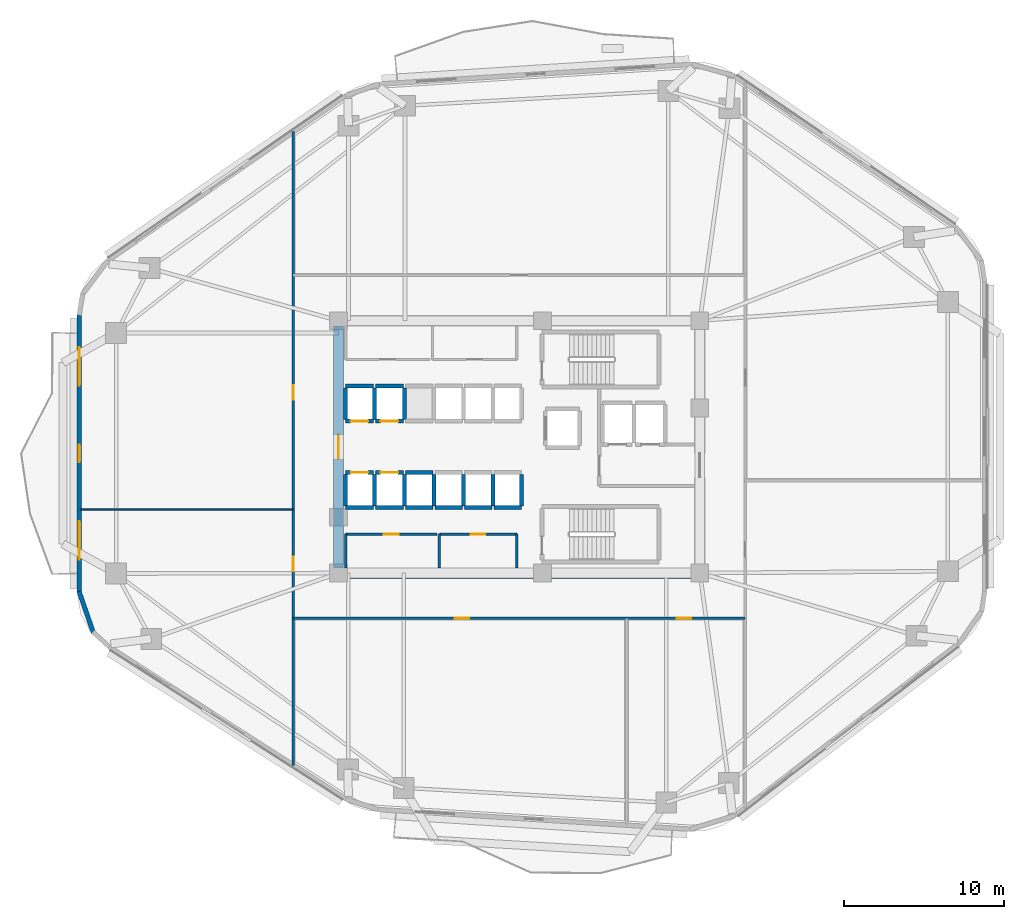
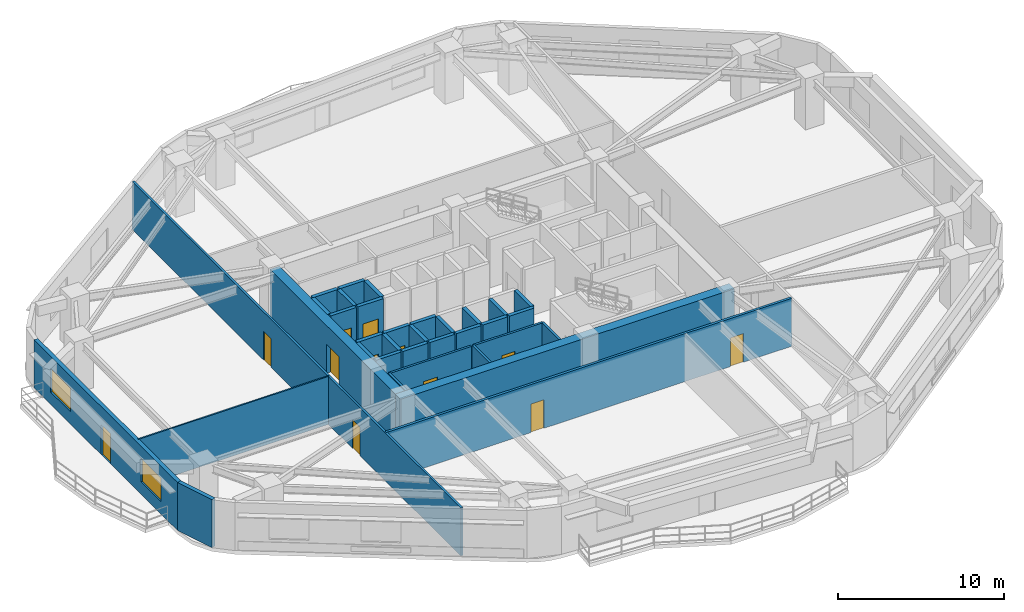
# One storey, part 3 of 11: 35 walls, 12 doors, 2 windows, 14 openings.
"""IFC4 building model written with IfcOpenShell, lengths in metres."""

from ifc_helpers import new_model, si_unit, direction, frame, frame_2d, origin, place, context, subcontext, project, spatial, rectangle, extrude, material, layer, layer_set, type_object, element, fill, save


model = new_model("IFC4")

# Units and contexts
model_context = context("Model", 3, precision=1e-05, world=origin(), true_north=direction((0.0, 1.0)))
body_context = subcontext(model_context, "Body", "Model", "MODEL_VIEW")
ifc_project = project(units=[si_unit("LENGTHUNIT", "METRE"), si_unit("AREAUNIT", "SQUARE_METRE"), si_unit("VOLUMEUNIT", "CUBIC_METRE"), si_unit("PLANEANGLEUNIT", "RADIAN"), si_unit("MASSUNIT", "GRAM", prefix="KILO")], contexts=[model_context])

# Site, building, storey
site_placement = place(None, origin())
site = spatial("IfcSite", under=ifc_project, at=site_placement, CompositionType="ELEMENT")
building_placement = place(site_placement, origin())
building = spatial("IfcBuilding", under=site, at=building_placement, Name="Zulverin Broadcast Headquarters", CompositionType="ELEMENT")
storey_placement = place(building_placement, frame((0.0, 0.0, 28.800048828125)))
storey = spatial("IfcBuildingStorey", under=building, at=storey_placement, Name="L06", CompositionType="ELEMENT", Elevation=28.800048828125)

# Wall
ifc_material_1 = material(Name="Concrete C60/75", Category="concrete")
ifc_layer_1 = layer(ifc_material_1, 0.64990234375, Name="Concrete C60/75", Category="concrete")
ifc_layer_set_1 = layer_set([ifc_layer_1], Name="Concrete C60/75")
wall_type_1 = type_object("IfcWallType", Name="WL-CORE-650", PredefinedType="SHEAR", material=ifc_layer_set_1)
wall_1_placement = place(storey_placement, frame((25.39990234375, 17.324951171875, 0.0), z_axis=(0.0, 0.0, 1.0), x_axis=(1.0, 0.0, 0.0)))
element("IfcWall", 1, at=wall_1_placement, inside=storey, type_object=wall_type_1, Name="L06 Core South Shear Wall", PredefinedType="SHEAR", context=body_context, shape_type="SweptSolid", body=[
    extrude(rectangle(XDim=23.2001953125, YDim=0.64990234375, at=frame_2d((11.60009765625, 0.0))), origin(), (0.0, 0.0, 1.0), 3.52490234375),
])

# Wall, opening, door
wall_2_placement = place(storey_placement, frame((25.72509765625, 17.64990234375, 0.0), z_axis=(0.0, 0.0, 1.0), x_axis=(0.0, 1.0, 0.0)))
wall_2 = element("IfcWall", 2, at=wall_2_placement, inside=storey, type_object=wall_type_1, Name="L06 Core West Shear Wall", PredefinedType="SHEAR", context=body_context, shape_type="SweptSolid", body=[
    extrude(rectangle(XDim=15.10009765625, YDim=0.64990234375, at=frame_2d((7.550048828125, 0.0))), origin(), (0.0, 0.0, 1.0), 3.52490234375),
])
opening_1_placement = place(wall_2_placement, frame((6.800048828125, 0.0, 0.0)))
opening_1 = element("IfcOpeningElement", 3, at=opening_1_placement, cuts=wall_2, Name="Opening D-L06-CW1", PredefinedType="OPENING", context=body_context, shape_type="SweptSolid", body=[
    extrude(rectangle(XDim=1.5, YDim=2.14990234375, at=frame_2d((0.75, 1.074951171875))), frame((0.0, 0.3349609375, 0.0), z_axis=(0.0, -1.0, 0.0), x_axis=(1.0, 0.0, 0.0)), (0.0, 0.0, 1.0), 0.669921875),
])
ifc_material_2 = material(Name="Fire-rated glazed steel frame", Category="steel")
door_type_1 = type_object("IfcDoorType", Name="DR-COR-1500", OperationType="DOUBLE_DOOR_SINGLE_SWING", PredefinedType="DOOR", material=ifc_material_2)
door_1_placement = place(opening_1_placement, origin())
door_1 = element("IfcDoor", 4, at=door_1_placement, inside=storey, type_object=door_type_1, Name="L06 Central Lift Lobby West Portal Door", OperationType="DOUBLE_DOOR_SINGLE_SWING", OverallHeight=2.14990234375, OverallWidth=1.5, PredefinedType="DOOR", context=body_context, shape_type="SweptSolid", body=[
    extrude(rectangle(XDim=1.5, YDim=2.14990234375, at=frame_2d((0.75, 1.074951171875))), frame((0.0, 0.02490234375, 0.0), z_axis=(0.0, -1.0, 0.0), x_axis=(1.0, 0.0, 0.0)), (0.0, 0.0, 1.0), 0.050048828125),
])
fill(opening_1, door_1)

# Wall, openings, door, windows
ifc_material_3 = material(Name="Insulated pale-metal clad concrete spandrel C40/50", Category="concrete")
ifc_layer_2 = layer(ifc_material_3, 0.280029296875, Name="Insulated pale-metal clad concrete spandrel C40/50", Category="concrete")
ifc_layer_set_2 = layer_set([ifc_layer_2], Name="Insulated pale-metal clad concrete spandrel C40/50")
wall_type_2 = type_object("IfcWallType", Name="WL-EXT-280", PredefinedType="STANDARD", material=ifc_layer_set_2)
wall_3_placement = place(storey_placement, frame((9.5400390625, 33.4443359375, 0.0), z_axis=(0.0, 0.0, 1.0), x_axis=(0.0, -1.0, 0.0)))
wall_3 = element("IfcWall", 5, at=wall_3_placement, inside=storey, type_object=wall_type_2, Name="L06 Pale-Metal Clad Spandrel Wall 7", PredefinedType="STANDARD", context=body_context, shape_type="SweptSolid", body=[
    extrude(rectangle(XDim=17.30078125, YDim=0.280029296875, at=frame_2d((8.650390625, 0.0))), origin(), (0.0, 0.0, 1.0), 3.52490234375),
])
opening_2_placement = place(wall_3_placement, frame((8.100341796875, 0.0, 0.0)))
opening_2 = element("IfcOpeningElement", 6, at=opening_2_placement, cuts=wall_3, Name="Opening D-L06-TR7", PredefinedType="OPENING", context=body_context, shape_type="SweptSolid", body=[
    extrude(rectangle(XDim=1.10009765625, YDim=2.199951171875, at=frame_2d((0.550048828125, 1.10009765625))), frame((0.0, 0.14990234375, 0.0), z_axis=(0.0, -1.0, 0.0), x_axis=(1.0, 0.0, 0.0)), (0.0, 0.0, 1.0), 0.300048828125),
])
opening_3_placement = place(wall_3_placement, frame((2.016845703125, 0.0, 0.89990234375)))
opening_3 = element("IfcOpeningElement", 7, at=opening_3_placement, cuts=wall_3, Name="Opening W-L06-E71", PredefinedType="OPENING", context=body_context, shape_type="SweptSolid", body=[
    extrude(rectangle(XDim=2.39990234375, YDim=1.75, at=frame_2d((1.199951171875, 0.875))), frame((0.0, 0.14990234375, 0.0), z_axis=(0.0, -1.0, 0.0), x_axis=(1.0, 0.0, 0.0)), (0.0, 0.0, 1.0), 0.300048828125),
])
opening_4_placement = place(wall_3_placement, frame((12.884033203125, 0.0, 0.89990234375)))
opening_4 = element("IfcOpeningElement", 8, at=opening_4_placement, cuts=wall_3, Name="Opening W-L06-E72", PredefinedType="OPENING", context=body_context, shape_type="SweptSolid", body=[
    extrude(rectangle(XDim=2.39990234375, YDim=1.75, at=frame_2d((1.199951171875, 0.875))), frame((0.0, 0.14990234375, 0.0), z_axis=(0.0, -1.0, 0.0), x_axis=(1.0, 0.0, 0.0)), (0.0, 0.0, 1.0), 0.300048828125),
])
ifc_material_4 = material(Name="Thermally broken aluminium glazed", Category="aluminium")
door_type_2 = type_object("IfcDoorType", Name="DR-TERR-1100", OperationType="SINGLE_SWING_RIGHT", PredefinedType="DOOR", material=ifc_material_4)
door_2_placement = place(opening_2_placement, origin())
door_2 = element("IfcDoor", 9, at=door_2_placement, inside=storey, type_object=door_type_2, Name="L06 Planted Terrace Glazed Access Door 7", OperationType="SINGLE_SWING_RIGHT", OverallHeight=2.199951171875, OverallWidth=1.10009765625, PredefinedType="DOOR", context=body_context, shape_type="SweptSolid", body=[
    extrude(rectangle(XDim=1.10009765625, YDim=2.199951171875, at=frame_2d((0.550048828125, 1.10009765625))), frame((0.0, 0.02490234375, 0.0), z_axis=(0.0, -1.0, 0.0), x_axis=(1.0, 0.0, 0.0)), (0.0, 0.0, 1.0), 0.050048828125),
])
fill(opening_2, door_2)
ifc_material_5 = material(Name="Pale anodized aluminium frame with solar-control low-E double glazing", Category="aluminium")
window_type = type_object("IfcWindowType", Name="WIN-RIB-2400", PartitioningType="SINGLE_PANEL", PredefinedType="WINDOW", material=ifc_material_5)
window_1_placement = place(opening_3_placement, origin())
window_1 = element("IfcWindow", 10, at=window_1_placement, inside=storey, type_object=window_type, Name="L06 Ribbon Glazing Window 7 1", OverallHeight=1.75, OverallWidth=2.39990234375, PartitioningType="SINGLE_PANEL", PredefinedType="WINDOW", context=body_context, shape_type="SweptSolid", body=[
    extrude(rectangle(XDim=2.39990234375, YDim=1.75, at=frame_2d((1.199951171875, 0.875))), frame((0.0, 0.030029296875, 0.0), z_axis=(0.0, -1.0, 0.0), x_axis=(1.0, 0.0, 0.0)), (0.0, 0.0, 1.0), 0.06005859375),
])
fill(opening_3, window_1)
window_2_placement = place(opening_4_placement, origin())
window_2 = element("IfcWindow", 11, at=window_2_placement, inside=storey, type_object=window_type, Name="L06 Ribbon Glazing Window 7 2", OverallHeight=1.75, OverallWidth=2.39990234375, PartitioningType="SINGLE_PANEL", PredefinedType="WINDOW", context=body_context, shape_type="SweptSolid", body=[
    extrude(rectangle(XDim=2.39990234375, YDim=1.75, at=frame_2d((1.199951171875, 0.875))), frame((0.0, 0.030029296875, 0.0), z_axis=(0.0, -1.0, 0.0), x_axis=(1.0, 0.0, 0.0)), (0.0, 0.0, 1.0), 0.06005859375),
])
fill(opening_4, window_2)

# Walls
wall_4_placement = place(storey_placement, frame((9.5322265625, 16.189453125, 0.0), z_axis=(0.0, 0.0, 1.0), x_axis=(0.32708309668, -0.944995580871, 0.0)))
element("IfcWall", 12, at=wall_4_placement, inside=storey, type_object=wall_type_2, Name="L06 Wind-Shaped Corner Spandrel Wall 7-1", PredefinedType="STANDARD", context=body_context, shape_type="SweptSolid", body=[
    extrude(rectangle(XDim=2.74755859375, YDim=0.280029296875, at=frame_2d((1.373779296875, 0.0))), origin(), (0.0, 0.0, 1.0), 3.52490234375),
])
ifc_material_6 = material(Name="Fire-rated acoustic laminated glass screen", Category="glass")
ifc_layer_3 = layer(ifc_material_6, 0.10009765625, Name="Fire-rated acoustic laminated glass screen", Category="glass")
ifc_layer_set_3 = layer_set([ifc_layer_3], Name="Fire-rated acoustic laminated glass screen")
wall_type_3 = type_object("IfcWallType", Name="WL-GLAZ-100", PredefinedType="PARTITIONING", material=ifc_layer_set_3)
wall_5_placement = place(storey_placement, frame((9.60498046875, 21.300048828125, 0.0), z_axis=(0.0, 0.0, 1.0), x_axis=(1.0, 0.0, 0.0)))
element("IfcWall", 13, at=wall_5_placement, inside=storey, type_object=wall_type_3, Name="L06 Room Partition Wall RP-05", PredefinedType="PARTITIONING", context=body_context, shape_type="SweptSolid", body=[
    extrude(rectangle(XDim=13.294921875, YDim=0.10009765625, at=frame_2d((6.6474609375, 0.0))), origin(), (0.0, 0.0, 1.0), 3.52490234375),
])

# Wall, opening, door
ifc_material_7 = material(Name="Fire-rated gypsum stud partition", Category="gypsum")
ifc_layer_4 = layer(ifc_material_7, 0.14990234375, Name="Fire-rated gypsum stud partition", Category="gypsum")
ifc_layer_set_4 = layer_set([ifc_layer_4], Name="Fire-rated gypsum stud partition")
wall_type_4 = type_object("IfcWallType", Name="WL-PART-150", PredefinedType="PARTITIONING", material=ifc_layer_set_4)
wall_6_placement = place(storey_placement, frame((26.169921875, 19.75, 0.0), z_axis=(0.0, 0.0, 1.0), x_axis=(1.0, 0.0, 0.0)))
wall_6 = element("IfcWall", 14, at=wall_6_placement, inside=storey, type_object=wall_type_4, Name="L06 Core Female WC Front Wall", PredefinedType="PARTITIONING", context=body_context, shape_type="SweptSolid", body=[
    extrude(rectangle(XDim=5.690185546875, YDim=0.14990234375, at=frame_2d((2.84521484375, 0.0))), origin(), (0.0, 0.0, 1.0), 3.52490234375),
])
opening_5_placement = place(wall_6_placement, frame((2.3701171875, 0.0, 0.0)))
opening_5 = element("IfcOpeningElement", 15, at=opening_5_placement, cuts=wall_6, Name="Opening D-L06-SC1", PredefinedType="OPENING", context=body_context, shape_type="SweptSolid", body=[
    extrude(rectangle(XDim=0.949951171875, YDim=2.10009765625, at=frame_2d((0.47509765625, 1.050048828125))), frame((0.0, 0.0849609375, 0.0), z_axis=(0.0, -1.0, 0.0), x_axis=(1.0, 0.0, 0.0)), (0.0, 0.0, 1.0), 0.169921875),
])
ifc_material_8 = material(Name="Fire-rated moisture-resistant laminate leaf", Category="wood")
door_type_3 = type_object("IfcDoorType", Name="DR-WC-950", OperationType="SINGLE_SWING_LEFT", PredefinedType="DOOR", material=ifc_material_8)
door_3_placement = place(opening_5_placement, origin())
door_3 = element("IfcDoor", 16, at=door_3_placement, inside=storey, type_object=door_type_3, Name="L06 Female WC Door", OperationType="SINGLE_SWING_LEFT", OverallHeight=2.10009765625, OverallWidth=0.949951171875, PredefinedType="DOOR", context=body_context, shape_type="SweptSolid", body=[
    extrude(rectangle(XDim=0.949951171875, YDim=2.10009765625, at=frame_2d((0.47509765625, 1.050048828125))), frame((0.0, 0.02490234375, 0.0), z_axis=(0.0, -1.0, 0.0), x_axis=(1.0, 0.0, 0.0)), (0.0, 0.0, 1.0), 0.050048828125),
])
fill(opening_5, door_3)

# Wall
wall_7_placement = place(storey_placement, frame((26.169921875, 17.64990234375, 0.0), z_axis=(0.0, 0.0, 1.0), x_axis=(0.0, 1.0, 0.0)))
element("IfcWall", 17, at=wall_7_placement, inside=storey, type_object=wall_type_4, Name="L06 Core Female WC West Wall", PredefinedType="PARTITIONING", context=body_context, shape_type="SweptSolid", body=[
    extrude(rectangle(XDim=2.10009765625, YDim=0.14990234375, at=frame_2d((1.050048828125, 0.0))), origin(), (0.0, 0.0, 1.0), 3.52490234375),
])

# Wall, opening, door
wall_8_placement = place(storey_placement, frame((32.02001953125, 19.75, 0.0), z_axis=(0.0, 0.0, 1.0), x_axis=(1.0, 0.0, 0.0)))
wall_8 = element("IfcWall", 18, at=wall_8_placement, inside=storey, type_object=wall_type_4, Name="L06 Core Cleaner Store & Telecoms Riser Front Wall", PredefinedType="PARTITIONING", context=body_context, shape_type="SweptSolid", body=[
    extrude(rectangle(XDim=4.830078125, YDim=0.14990234375, at=frame_2d((2.4150390625, 0.0))), origin(), (0.0, 0.0, 1.0), 3.52490234375),
])
opening_6_placement = place(wall_8_placement, frame((1.965087890625, 0.0, 0.0)))
opening_6 = element("IfcOpeningElement", 19, at=opening_6_placement, cuts=wall_8, Name="Opening D-L06-SC2", PredefinedType="OPENING", context=body_context, shape_type="SweptSolid", body=[
    extrude(rectangle(XDim=0.89990234375, YDim=2.10009765625, at=frame_2d((0.449951171875, 1.050048828125))), frame((0.0, 0.0849609375, 0.0), z_axis=(0.0, -1.0, 0.0), x_axis=(1.0, 0.0, 0.0)), (0.0, 0.0, 1.0), 0.169921875),
])
ifc_material_9 = material(Name="Powder-coated steel access leaf", Category="steel")
door_type_4 = type_object("IfcDoorType", Name="DR-RISER-900", OperationType="SINGLE_SWING_LEFT", PredefinedType="DOOR", material=ifc_material_9)
door_4_placement = place(opening_6_placement, origin())
door_4 = element("IfcDoor", 20, at=door_4_placement, inside=storey, type_object=door_type_4, Name="L06 Cleaner Store & Telecoms Riser Door", OperationType="SINGLE_SWING_RIGHT", OverallHeight=2.10009765625, OverallWidth=0.89990234375, PredefinedType="DOOR", context=body_context, shape_type="SweptSolid", body=[
    extrude(rectangle(XDim=0.89990234375, YDim=2.10009765625, at=frame_2d((0.449951171875, 1.050048828125))), frame((0.0, 0.02490234375, 0.0), z_axis=(0.0, -1.0, 0.0), x_axis=(1.0, 0.0, 0.0)), (0.0, 0.0, 1.0), 0.050048828125),
])
fill(opening_6, door_4)

# Walls
for number, where, z_axis, x_axis, name in (
    (21, (32.02001953125, 17.64990234375, 0.0), (0.0, 0.0, 1.0), (0.0, 1.0, 0.0), "L06 Core Cleaner Store & Telecoms Riser West Wall"),
    (22, (36.85009765625, 17.64990234375, 0.0), (0.0, 0.0, 1.0), (0.0, 1.0, 0.0), "L06 Core Cleaner Store & Telecoms Riser East Wall"),
):
    element("IfcWall", number, at=place(storey_placement, frame(where, z_axis=z_axis, x_axis=x_axis)), inside=storey, type_object=wall_type_4, Name=name, PredefinedType="PARTITIONING", context=body_context, shape_type="SweptSolid", body=[
        extrude(rectangle(XDim=2.10009765625, YDim=0.14990234375, at=frame_2d((1.050048828125, 0.0))), origin(), (0.0, 0.0, 1.0), 3.52490234375),
    ])

# Wall, openings, doors
wall_9_placement = place(storey_placement, frame((22.89990234375, 5.315673828125, 0.0), z_axis=(0.0, 0.0, 1.0), x_axis=(0.0, 1.0, 0.0)))
wall_9 = element("IfcWall", 23, at=wall_9_placement, inside=storey, type_object=wall_type_4, Name="L06 Gallery Partition Wall CG-03", PredefinedType="PARTITIONING", context=body_context, shape_type="SweptSolid", body=[
    extrude(rectangle(XDim=39.5546875, YDim=0.14990234375, at=frame_2d((19.77734375, 0.0))), origin(), (0.0, 0.0, 1.0), 3.52490234375),
])
opening_7_placement = place(wall_9_placement, frame((12.134521484375, 0.0, 0.0)))
opening_7 = element("IfcOpeningElement", 24, at=opening_7_placement, cuts=wall_9, Name="Opening D-L06-04", PredefinedType="OPENING", context=body_context, shape_type="SweptSolid", body=[
    extrude(rectangle(XDim=0.89990234375, YDim=2.10009765625, at=frame_2d((0.449951171875, 1.050048828125))), frame((0.0, 0.0849609375, 0.0), z_axis=(0.0, -1.0, 0.0), x_axis=(1.0, 0.0, 0.0)), (0.0, 0.0, 1.0), 0.169921875),
])
opening_8_placement = place(wall_9_placement, frame((22.83447265625, 0.0, 0.0)))
opening_8 = element("IfcOpeningElement", 25, at=opening_8_placement, cuts=wall_9, Name="Opening D-L06-05", PredefinedType="OPENING", context=body_context, shape_type="SweptSolid", body=[
    extrude(rectangle(XDim=0.89990234375, YDim=2.10009765625, at=frame_2d((0.449951171875, 1.050048828125))), frame((0.0, 0.0849609375, 0.0), z_axis=(0.0, -1.0, 0.0), x_axis=(1.0, 0.0, 0.0)), (0.0, 0.0, 1.0), 0.169921875),
])
ifc_material_10 = material(Name="Fire-rated hardwood veneer timber leaf", Category="wood")
door_type_5 = type_object("IfcDoorType", Name="DR-ROOM-900", OperationType="SINGLE_SWING_RIGHT", PredefinedType="DOOR", material=ifc_material_10)
door_5_placement = place(opening_7_placement, origin())
door_5 = element("IfcDoor", 26, at=door_5_placement, inside=storey, type_object=door_type_5, Name="L06 Broadcast Editing Suite Door", OperationType="SINGLE_SWING_RIGHT", OverallHeight=2.10009765625, OverallWidth=0.89990234375, PredefinedType="DOOR", context=body_context, shape_type="SweptSolid", body=[
    extrude(rectangle(XDim=0.89990234375, YDim=2.10009765625, at=frame_2d((0.449951171875, 1.050048828125))), frame((0.0, 0.02490234375, 0.0), z_axis=(0.0, -1.0, 0.0), x_axis=(1.0, 0.0, 0.0)), (0.0, 0.0, 1.0), 0.050048828125),
])
fill(opening_7, door_5)
door_6_placement = place(opening_8_placement, origin())
door_6 = element("IfcDoor", 27, at=door_6_placement, inside=storey, type_object=door_type_5, Name="L06 Refreshment Pantry Door", OperationType="SINGLE_SWING_LEFT", OverallHeight=2.10009765625, OverallWidth=0.89990234375, PredefinedType="DOOR", context=body_context, shape_type="SweptSolid", body=[
    extrude(rectangle(XDim=0.89990234375, YDim=2.10009765625, at=frame_2d((0.449951171875, 1.050048828125))), frame((0.0, 0.02490234375, 0.0), z_axis=(0.0, -1.0, 0.0), x_axis=(1.0, 0.0, 0.0)), (0.0, 0.0, 1.0), 0.050048828125),
])
fill(opening_8, door_6)

ifc_material_11 = material(Name="Fire-rated acoustic stud wall", Category="gypsum")
ifc_layer_5 = layer(ifc_material_11, 0.175048828125, Name="Fire-rated acoustic stud wall", Category="gypsum")
ifc_layer_set_5 = layer_set([ifc_layer_5], Name="Fire-rated acoustic stud wall")
wall_type_5 = type_object("IfcWallType", Name="WL-PART-175", PredefinedType="PARTITIONING", material=ifc_layer_set_5)
wall_10_placement = place(storey_placement, frame((22.89990234375, 14.5, 0.0), z_axis=(0.0, 0.0, 1.0), x_axis=(1.0, 0.0, 0.0)))
wall_10 = element("IfcWall", 28, at=wall_10_placement, inside=storey, type_object=wall_type_5, Name="L06 Gallery Partition Wall CG-04", PredefinedType="PARTITIONING", context=body_context, shape_type="SweptSolid", body=[
    extrude(rectangle(XDim=28.2001953125, YDim=0.175048828125, at=frame_2d((14.10009765625, 0.0))), origin(), (0.0, 0.0, 1.0), 3.52490234375),
])
opening_9_placement = place(wall_10_placement, frame((10.070068359375, 0.0, 0.0)))
opening_9 = element("IfcOpeningElement", 29, at=opening_9_placement, cuts=wall_10, Name="Opening D-L06-02", PredefinedType="OPENING", context=body_context, shape_type="SweptSolid", body=[
    extrude(rectangle(XDim=0.89990234375, YDim=2.10009765625, at=frame_2d((0.449951171875, 1.050048828125))), frame((0.0, 0.097412109375, 0.0), z_axis=(0.0, -1.0, 0.0), x_axis=(1.0, 0.0, 0.0)), (0.0, 0.0, 1.0), 0.195068359375),
])
opening_10_placement = place(wall_10_placement, frame((23.929931640625, 0.0, 0.0)))
opening_10 = element("IfcOpeningElement", 30, at=opening_10_placement, cuts=wall_10, Name="Opening D-L06-03", PredefinedType="OPENING", context=body_context, shape_type="SweptSolid", body=[
    extrude(rectangle(XDim=0.89990234375, YDim=2.10009765625, at=frame_2d((0.449951171875, 1.050048828125))), frame((0.0, 0.097412109375, 0.0), z_axis=(0.0, -1.0, 0.0), x_axis=(1.0, 0.0, 0.0)), (0.0, 0.0, 1.0), 0.195068359375),
])
door_7_placement = place(opening_9_placement, origin())
door_7 = element("IfcDoor", 31, at=door_7_placement, inside=storey, type_object=door_type_5, Name="L06 Production Meeting Room Door", OperationType="SINGLE_SWING_RIGHT", OverallHeight=2.10009765625, OverallWidth=0.89990234375, PredefinedType="DOOR", context=body_context, shape_type="SweptSolid", body=[
    extrude(rectangle(XDim=0.89990234375, YDim=2.10009765625, at=frame_2d((0.449951171875, 1.050048828125))), frame((0.0, 0.02490234375, 0.0), z_axis=(0.0, -1.0, 0.0), x_axis=(1.0, 0.0, 0.0)), (0.0, 0.0, 1.0), 0.050048828125),
])
fill(opening_9, door_7)
door_8_placement = place(opening_10_placement, origin())
door_8 = element("IfcDoor", 32, at=door_8_placement, inside=storey, type_object=door_type_5, Name="L06 Executive Boardroom Door", OperationType="SINGLE_SWING_LEFT", OverallHeight=2.10009765625, OverallWidth=0.89990234375, PredefinedType="DOOR", context=body_context, shape_type="SweptSolid", body=[
    extrude(rectangle(XDim=0.89990234375, YDim=2.10009765625, at=frame_2d((0.449951171875, 1.050048828125))), frame((0.0, 0.02490234375, 0.0), z_axis=(0.0, -1.0, 0.0), x_axis=(1.0, 0.0, 0.0)), (0.0, 0.0, 1.0), 0.050048828125),
])
fill(opening_10, door_8)

# Wall, opening, door
ifc_material_12 = material(Name="Concrete C50/60", Category="concrete")
ifc_layer_6 = layer(ifc_material_12, 0.25, Name="Concrete C50/60", Category="concrete")
ifc_layer_set_6 = layer_set([ifc_layer_6], Name="Concrete C50/60")
wall_type_6 = type_object("IfcWallType", Name="WL-SHAFT-250", PredefinedType="SHEAR", material=ifc_layer_set_6)
wall_11_placement = place(storey_placement, frame((26.14990234375, 26.800048828125, 0.0), z_axis=(0.0, 0.0, 1.0), x_axis=(1.0, 0.0, 0.0)))
wall_11 = element("IfcWall", 33, at=wall_11_placement, inside=storey, type_object=wall_type_6, Name="L06 Lift PL-L1 Shaft Wall S", PredefinedType="SHEAR", context=body_context, shape_type="SweptSolid", body=[
    extrude(rectangle(XDim=1.75, YDim=0.25, at=frame_2d((0.875, 0.0))), origin(), (0.0, 0.0, 1.0), 3.52490234375),
])
opening_11_placement = place(wall_11_placement, frame((0.324951171875, 0.0, 0.0)))
opening_11 = element("IfcOpeningElement", 34, at=opening_11_placement, cuts=wall_11, Name="Opening LD-PL-L1-L06", PredefinedType="OPENING", context=body_context, shape_type="SweptSolid", body=[
    extrude(rectangle(XDim=1.10009765625, YDim=2.14990234375, at=frame_2d((0.550048828125, 1.074951171875))), frame((0.0, 0.135009765625, 0.0), z_axis=(0.0, -1.0, 0.0), x_axis=(1.0, 0.0, 0.0)), (0.0, 0.0, 1.0), 0.27001953125),
])
ifc_material_13 = material(Name="Brushed stainless steel landing", Category="steel")
door_type_6 = type_object("IfcDoorType", Name="LD-PASS-1100", OperationType="DOUBLE_DOOR_SLIDING", PredefinedType="DOOR", material=ifc_material_13)
door_9_placement = place(opening_11_placement, origin())
door_9 = element("IfcDoor", 35, at=door_9_placement, inside=storey, type_object=door_type_6, Name="L06 Lift PL-L1 Sliding Landing Door", OperationType="DOUBLE_DOOR_SLIDING", OverallHeight=2.14990234375, OverallWidth=1.10009765625, PredefinedType="DOOR", context=body_context, shape_type="SweptSolid", body=[
    extrude(rectangle(XDim=1.10009765625, YDim=2.14990234375, at=frame_2d((0.550048828125, 1.074951171875))), frame((0.0, 0.02490234375, 0.0), z_axis=(0.0, -1.0, 0.0), x_axis=(1.0, 0.0, 0.0)), (0.0, 0.0, 1.0), 0.050048828125),
])
fill(opening_11, door_9)

# Walls
wall_12_placement = place(storey_placement, frame((26.14990234375, 29.0, 0.0), z_axis=(0.0, 0.0, 1.0), x_axis=(1.0, 0.0, 0.0)))
element("IfcWall", 36, at=wall_12_placement, inside=storey, type_object=wall_type_6, Name="L06 Lift PL-L1 Shaft Wall N", PredefinedType="SHEAR", context=body_context, shape_type="SweptSolid", body=[
    extrude(rectangle(XDim=1.75, YDim=0.25, at=frame_2d((0.875, 0.0))), origin(), (0.0, 0.0, 1.0), 3.52490234375),
])
for number, where, z_axis, x_axis, name in (
    (37, (26.14990234375, 26.919921875, 0.0), (0.0, 0.0, 1.0), (0.0, 1.0, 0.0), "L06 Lift PL-L1 Shaft Wall W"),
    (38, (27.9599609375, 26.919921875, 0.0), (0.0, 0.0, 1.0), (0.0, 1.0, 0.0), "L06 Lift PL-L1 Shaft Wall E"),
):
    element("IfcWall", number, at=place(storey_placement, frame(where, z_axis=z_axis, x_axis=x_axis)), inside=storey, type_object=wall_type_6, Name=name, PredefinedType="SHEAR", context=body_context, shape_type="SweptSolid", body=[
        extrude(rectangle(XDim=1.9599609375, YDim=0.25, at=frame_2d((0.97998046875, 0.0))), origin(), (0.0, 0.0, 1.0), 3.52490234375),
    ])

# Wall, opening, door
wall_13_placement = place(storey_placement, frame((28.02001953125, 26.800048828125, 0.0), z_axis=(0.0, 0.0, 1.0), x_axis=(1.0, 0.0, 0.0)))
wall_13 = element("IfcWall", 39, at=wall_13_placement, inside=storey, type_object=wall_type_6, Name="L06 Lift PL-L2 Shaft Wall S", PredefinedType="SHEAR", context=body_context, shape_type="SweptSolid", body=[
    extrude(rectangle(XDim=1.75, YDim=0.25, at=frame_2d((0.875, 0.0))), origin(), (0.0, 0.0, 1.0), 3.52490234375),
])
opening_12_placement = place(wall_13_placement, frame((0.324951171875, 0.0, 0.0)))
opening_12 = element("IfcOpeningElement", 40, at=opening_12_placement, cuts=wall_13, Name="Opening LD-PL-L2-L06", PredefinedType="OPENING", context=body_context, shape_type="SweptSolid", body=[
    extrude(rectangle(XDim=1.10009765625, YDim=2.14990234375, at=frame_2d((0.550048828125, 1.074951171875))), frame((0.0, 0.135009765625, 0.0), z_axis=(0.0, -1.0, 0.0), x_axis=(1.0, 0.0, 0.0)), (0.0, 0.0, 1.0), 0.27001953125),
])
door_10_placement = place(opening_12_placement, origin())
door_10 = element("IfcDoor", 41, at=door_10_placement, inside=storey, type_object=door_type_6, Name="L06 Lift PL-L2 Sliding Landing Door", OperationType="DOUBLE_DOOR_SLIDING", OverallHeight=2.14990234375, OverallWidth=1.10009765625, PredefinedType="DOOR", context=body_context, shape_type="SweptSolid", body=[
    extrude(rectangle(XDim=1.10009765625, YDim=2.14990234375, at=frame_2d((0.550048828125, 1.074951171875))), frame((0.0, 0.02490234375, 0.0), z_axis=(0.0, -1.0, 0.0), x_axis=(1.0, 0.0, 0.0)), (0.0, 0.0, 1.0), 0.050048828125),
])
fill(opening_12, door_10)

# Walls
wall_14_placement = place(storey_placement, frame((28.02001953125, 29.0, 0.0), z_axis=(0.0, 0.0, 1.0), x_axis=(1.0, 0.0, 0.0)))
element("IfcWall", 42, at=wall_14_placement, inside=storey, type_object=wall_type_6, Name="L06 Lift PL-L2 Shaft Wall N", PredefinedType="SHEAR", context=body_context, shape_type="SweptSolid", body=[
    extrude(rectangle(XDim=1.75, YDim=0.25, at=frame_2d((0.875, 0.0))), origin(), (0.0, 0.0, 1.0), 3.52490234375),
])
wall_15_placement = place(storey_placement, frame((29.8349609375, 26.919921875, 0.0), z_axis=(0.0, 0.0, 1.0), x_axis=(0.0, 1.0, 0.0)))
element("IfcWall", 43, at=wall_15_placement, inside=storey, type_object=wall_type_6, Name="L06 Lift PL-L2 Shaft Wall E", PredefinedType="SHEAR", context=body_context, shape_type="SweptSolid", body=[
    extrude(rectangle(XDim=1.9599609375, YDim=0.25, at=frame_2d((0.97998046875, 0.0))), origin(), (0.0, 0.0, 1.0), 3.52490234375),
])
wall_16_placement = place(storey_placement, frame((26.14990234375, 21.39990234375, 0.0), z_axis=(0.0, 0.0, 1.0), x_axis=(1.0, 0.0, 0.0)))
element("IfcWall", 44, at=wall_16_placement, inside=storey, type_object=wall_type_6, Name="L06 Lift PL-L3 Shaft Wall S", PredefinedType="SHEAR", context=body_context, shape_type="SweptSolid", body=[
    extrude(rectangle(XDim=1.75, YDim=0.25, at=frame_2d((0.875, 0.0))), origin(), (0.0, 0.0, 1.0), 3.52490234375),
])

# Wall, opening, door
wall_17_placement = place(storey_placement, frame((26.14990234375, 23.60009765625, 0.0), z_axis=(0.0, 0.0, 1.0), x_axis=(1.0, 0.0, 0.0)))
wall_17 = element("IfcWall", 45, at=wall_17_placement, inside=storey, type_object=wall_type_6, Name="L06 Lift PL-L3 Shaft Wall N", PredefinedType="SHEAR", context=body_context, shape_type="SweptSolid", body=[
    extrude(rectangle(XDim=1.75, YDim=0.25, at=frame_2d((0.875, 0.0))), origin(), (0.0, 0.0, 1.0), 3.52490234375),
])
opening_13_placement = place(wall_17_placement, frame((0.324951171875, 0.0, 0.0)))
opening_13 = element("IfcOpeningElement", 46, at=opening_13_placement, cuts=wall_17, Name="Opening LD-PL-L3-L06", PredefinedType="OPENING", context=body_context, shape_type="SweptSolid", body=[
    extrude(rectangle(XDim=1.10009765625, YDim=2.14990234375, at=frame_2d((0.550048828125, 1.074951171875))), frame((0.0, 0.135009765625, 0.0), z_axis=(0.0, -1.0, 0.0), x_axis=(1.0, 0.0, 0.0)), (0.0, 0.0, 1.0), 0.27001953125),
])
door_11_placement = place(opening_13_placement, origin())
door_11 = element("IfcDoor", 47, at=door_11_placement, inside=storey, type_object=door_type_6, Name="L06 Lift PL-L3 Sliding Landing Door", OperationType="DOUBLE_DOOR_SLIDING", OverallHeight=2.14990234375, OverallWidth=1.10009765625, PredefinedType="DOOR", context=body_context, shape_type="SweptSolid", body=[
    extrude(rectangle(XDim=1.10009765625, YDim=2.14990234375, at=frame_2d((0.550048828125, 1.074951171875))), frame((0.0, 0.02490234375, 0.0), z_axis=(0.0, -1.0, 0.0), x_axis=(1.0, 0.0, 0.0)), (0.0, 0.0, 1.0), 0.050048828125),
])
fill(opening_13, door_11)

# Walls
for number, where, z_axis, x_axis, name in (
    (48, (26.14990234375, 21.52001953125, 0.0), (0.0, 0.0, 1.0), (0.0, 1.0, 0.0), "L06 Lift PL-L3 Shaft Wall W"),
    (49, (27.9599609375, 21.52001953125, 0.0), (0.0, 0.0, 1.0), (0.0, 1.0, 0.0), "L06 Lift PL-L3 Shaft Wall E"),
):
    element("IfcWall", number, at=place(storey_placement, frame(where, z_axis=z_axis, x_axis=x_axis)), inside=storey, type_object=wall_type_6, Name=name, PredefinedType="SHEAR", context=body_context, shape_type="SweptSolid", body=[
        extrude(rectangle(XDim=1.9599609375, YDim=0.25, at=frame_2d((0.97998046875, 0.0))), origin(), (0.0, 0.0, 1.0), 3.52490234375),
    ])
wall_18_placement = place(storey_placement, frame((28.02001953125, 21.39990234375, 0.0), z_axis=(0.0, 0.0, 1.0), x_axis=(1.0, 0.0, 0.0)))
element("IfcWall", 50, at=wall_18_placement, inside=storey, type_object=wall_type_6, Name="L06 Lift PL-L4 Shaft Wall S", PredefinedType="SHEAR", context=body_context, shape_type="SweptSolid", body=[
    extrude(rectangle(XDim=1.75, YDim=0.25, at=frame_2d((0.875, 0.0))), origin(), (0.0, 0.0, 1.0), 3.52490234375),
])

# Wall, opening, door
wall_19_placement = place(storey_placement, frame((28.02001953125, 23.60009765625, 0.0), z_axis=(0.0, 0.0, 1.0), x_axis=(1.0, 0.0, 0.0)))
wall_19 = element("IfcWall", 51, at=wall_19_placement, inside=storey, type_object=wall_type_6, Name="L06 Lift PL-L4 Shaft Wall N", PredefinedType="SHEAR", context=body_context, shape_type="SweptSolid", body=[
    extrude(rectangle(XDim=1.75, YDim=0.25, at=frame_2d((0.875, 0.0))), origin(), (0.0, 0.0, 1.0), 3.52490234375),
])
opening_14_placement = place(wall_19_placement, frame((0.324951171875, 0.0, 0.0)))
opening_14 = element("IfcOpeningElement", 52, at=opening_14_placement, cuts=wall_19, Name="Opening LD-PL-L4-L06", PredefinedType="OPENING", context=body_context, shape_type="SweptSolid", body=[
    extrude(rectangle(XDim=1.10009765625, YDim=2.14990234375, at=frame_2d((0.550048828125, 1.074951171875))), frame((0.0, 0.135009765625, 0.0), z_axis=(0.0, -1.0, 0.0), x_axis=(1.0, 0.0, 0.0)), (0.0, 0.0, 1.0), 0.27001953125),
])
door_12_placement = place(opening_14_placement, origin())
door_12 = element("IfcDoor", 53, at=door_12_placement, inside=storey, type_object=door_type_6, Name="L06 Lift PL-L4 Sliding Landing Door", OperationType="DOUBLE_DOOR_SLIDING", OverallHeight=2.14990234375, OverallWidth=1.10009765625, PredefinedType="DOOR", context=body_context, shape_type="SweptSolid", body=[
    extrude(rectangle(XDim=1.10009765625, YDim=2.14990234375, at=frame_2d((0.550048828125, 1.074951171875))), frame((0.0, 0.02490234375, 0.0), z_axis=(0.0, -1.0, 0.0), x_axis=(1.0, 0.0, 0.0)), (0.0, 0.0, 1.0), 0.050048828125),
])
fill(opening_14, door_12)

# Walls
wall_20_placement = place(storey_placement, frame((29.8349609375, 21.52001953125, 0.0), z_axis=(0.0, 0.0, 1.0), x_axis=(0.0, 1.0, 0.0)))
element("IfcWall", 54, at=wall_20_placement, inside=storey, type_object=wall_type_6, Name="L06 Lift PL-L4 Shaft Wall E", PredefinedType="SHEAR", context=body_context, shape_type="SweptSolid", body=[
    extrude(rectangle(XDim=1.9599609375, YDim=0.25, at=frame_2d((0.97998046875, 0.0))), origin(), (0.0, 0.0, 1.0), 3.52490234375),
])
for number, where, z_axis, x_axis, name in (
    (55, (29.89990234375, 21.39990234375, 0.0), (0.0, 0.0, 1.0), (1.0, 0.0, 0.0), "L06 Lift PL-M1 Shaft Wall S"),
    (56, (29.89990234375, 23.60009765625, 0.0), (0.0, 0.0, 1.0), (1.0, 0.0, 0.0), "L06 Lift PL-M1 Shaft Wall N"),
):
    element("IfcWall", number, at=place(storey_placement, frame(where, z_axis=z_axis, x_axis=x_axis)), inside=storey, type_object=wall_type_6, Name=name, PredefinedType="SHEAR", context=body_context, shape_type="SweptSolid", body=[
        extrude(rectangle(XDim=1.72021484375, YDim=0.25, at=frame_2d((0.860107421875, 0.0))), origin(), (0.0, 0.0, 1.0), 3.52490234375),
    ])
wall_21_placement = place(storey_placement, frame((31.679931640625, 21.52001953125, 0.0), z_axis=(0.0, 0.0, 1.0), x_axis=(0.0, 1.0, 0.0)))
element("IfcWall", 57, at=wall_21_placement, inside=storey, type_object=wall_type_6, Name="L06 Lift PL-M1 Shaft Wall E", PredefinedType="SHEAR", context=body_context, shape_type="SweptSolid", body=[
    extrude(rectangle(XDim=1.9599609375, YDim=0.25, at=frame_2d((0.97998046875, 0.0))), origin(), (0.0, 0.0, 1.0), 3.52490234375),
])
wall_22_placement = place(storey_placement, frame((31.739990234375, 21.39990234375, 0.0), z_axis=(0.0, 0.0, 1.0), x_axis=(1.0, 0.0, 0.0)))
element("IfcWall", 58, at=wall_22_placement, inside=storey, type_object=wall_type_6, Name="L06 Lift PL-M2 Shaft Wall S", PredefinedType="SHEAR", context=body_context, shape_type="SweptSolid", body=[
    extrude(rectangle(XDim=1.719970703125, YDim=0.25, at=frame_2d((0.85986328125, 0.0))), origin(), (0.0, 0.0, 1.0), 3.52490234375),
])
wall_23_placement = place(storey_placement, frame((33.52001953125, 21.52001953125, 0.0), z_axis=(0.0, 0.0, 1.0), x_axis=(0.0, 1.0, 0.0)))
element("IfcWall", 59, at=wall_23_placement, inside=storey, type_object=wall_type_6, Name="L06 Lift PL-M2 Shaft Wall E", PredefinedType="SHEAR", context=body_context, shape_type="SweptSolid", body=[
    extrude(rectangle(XDim=1.9599609375, YDim=0.25, at=frame_2d((0.97998046875, 0.0))), origin(), (0.0, 0.0, 1.0), 3.52490234375),
])
wall_24_placement = place(storey_placement, frame((33.580078125, 21.39990234375, 0.0), z_axis=(0.0, 0.0, 1.0), x_axis=(1.0, 0.0, 0.0)))
element("IfcWall", 60, at=wall_24_placement, inside=storey, type_object=wall_type_6, Name="L06 Lift PL-M3 Shaft Wall S", PredefinedType="SHEAR", context=body_context, shape_type="SweptSolid", body=[
    extrude(rectangle(XDim=1.719970703125, YDim=0.25, at=frame_2d((0.85986328125, 0.0))), origin(), (0.0, 0.0, 1.0), 3.52490234375),
])
wall_25_placement = place(storey_placement, frame((35.360107421875, 21.52001953125, 0.0), z_axis=(0.0, 0.0, 1.0), x_axis=(0.0, 1.0, 0.0)))
element("IfcWall", 61, at=wall_25_placement, inside=storey, type_object=wall_type_6, Name="L06 Lift PL-M3 Shaft Wall E", PredefinedType="SHEAR", context=body_context, shape_type="SweptSolid", body=[
    extrude(rectangle(XDim=1.9599609375, YDim=0.25, at=frame_2d((0.97998046875, 0.0))), origin(), (0.0, 0.0, 1.0), 3.52490234375),
])
wall_26_placement = place(storey_placement, frame((35.419921875, 21.39990234375, 0.0), z_axis=(0.0, 0.0, 1.0), x_axis=(1.0, 0.0, 0.0)))
element("IfcWall", 62, at=wall_26_placement, inside=storey, type_object=wall_type_6, Name="L06 Lift PL-M4 Shaft Wall S", PredefinedType="SHEAR", context=body_context, shape_type="SweptSolid", body=[
    extrude(rectangle(XDim=1.719970703125, YDim=0.25, at=frame_2d((0.85986328125, 0.0))), origin(), (0.0, 0.0, 1.0), 3.52490234375),
])
wall_27_placement = place(storey_placement, frame((37.139892578125, 21.52001953125, 0.0), z_axis=(0.0, 0.0, 1.0), x_axis=(0.0, 1.0, 0.0)))
element("IfcWall", 63, at=wall_27_placement, inside=storey, type_object=wall_type_6, Name="L06 Lift PL-M4 Shaft Wall E", PredefinedType="SHEAR", context=body_context, shape_type="SweptSolid", body=[
    extrude(rectangle(XDim=1.9599609375, YDim=0.25, at=frame_2d((0.97998046875, 0.0))), origin(), (0.0, 0.0, 1.0), 3.52490234375),
])

save(model, "model.ifc")
